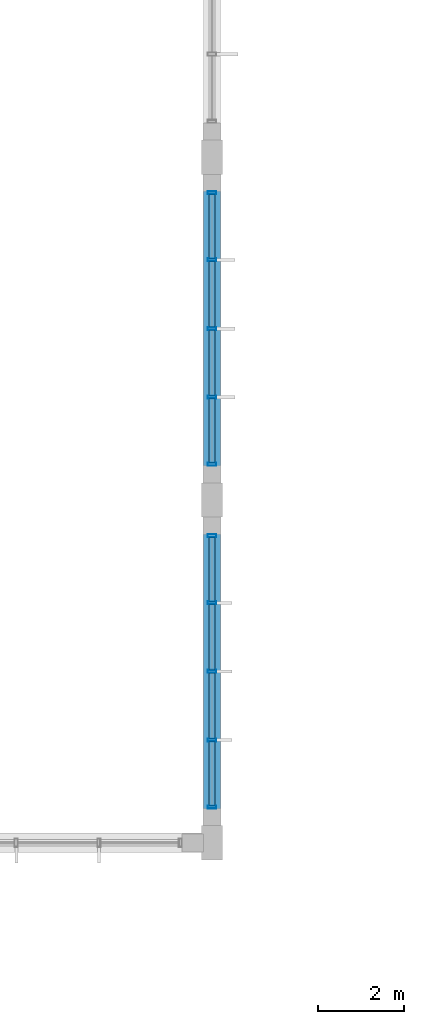
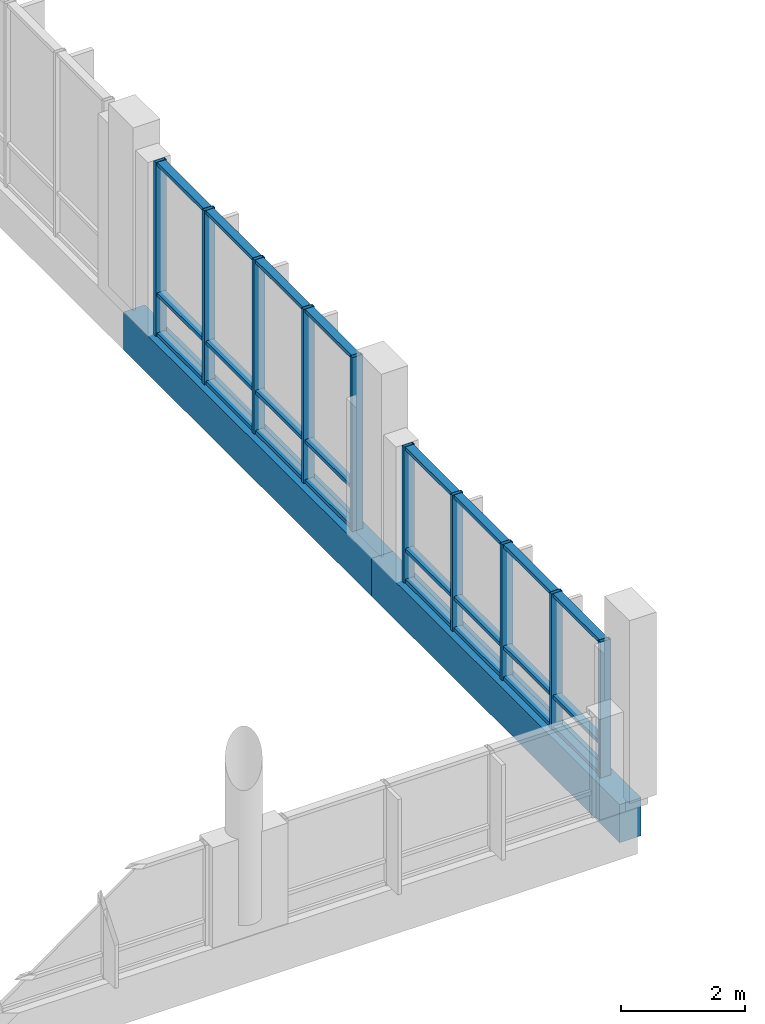
# One storey, part 63 of 189: 34 members, 2 beams, 2 elements without a shape of their own.
"""IFC4 building model written with IfcOpenShell, lengths in metres."""

from ifc_helpers import new_model, si_unit, direction, frame, origin, origin_2d, place, context, subcontext, project, spatial, rectangle, hollow_rectangle, extrude, material, material_profile, profile_set, type_object, element, aggregate, save


model = new_model("IFC4")

# Units and contexts
model_context = context("Model", 3, precision=1e-05, world=origin(), true_north=direction((0.0, 1.0)))
body_context = subcontext(model_context, "Body", "Model", "MODEL_VIEW")
ifc_project = project(units=[si_unit("LENGTHUNIT", "METRE"), si_unit("AREAUNIT", "SQUARE_METRE"), si_unit("VOLUMEUNIT", "CUBIC_METRE"), si_unit("PLANEANGLEUNIT", "RADIAN"), si_unit("MASSUNIT", "GRAM", prefix="KILO")], contexts=[model_context])

# Site, building, storey
site_placement = place(None, origin())
site = spatial("IfcSite", under=ifc_project, at=site_placement, CompositionType="ELEMENT")
building_placement = place(site_placement, origin())
building = spatial("IfcBuilding", under=site, at=building_placement, Name="Zavelmont Quarter", CompositionType="ELEMENT")
storey_placement = place(building_placement, frame((0.0, 0.0, 4.39990234375)))
storey = spatial("IfcBuildingStorey", under=building, at=storey_placement, Name="L01", CompositionType="ELEMENT", Elevation=4.39990234375)

# Beams
ifc_material_1 = material(Name="Concrete C40/50", Category="concrete")
ifc_material_profile_1 = material_profile(ifc_material_1, rectangle(XDim=0.39990234375, YDim=0.75, at=origin_2d()), Name="RC400X750")
ifc_profile_set_1 = profile_set([ifc_material_profile_1], Name="Concrete C40/50")
beam_type = type_object("IfcBeamType", Name="BM05", PredefinedType="BEAM", material=ifc_profile_set_1)
for number, where, z_axis, x_axis, name in (
    (1, (112.800048828125, 30.0, -0.65478515625), (0.0, 1.0, 0.0), (-1.0, 0.0, 0.0), "L01 beam BM05 17/F to 17/G"),
    (2, (112.800048828125, 38.0, -0.65478515625), (0.0, 1.0, 0.0), (-1.0, 0.0, 0.0), "L01 beam BM05 17/G to 17/H"),
):
    element("IfcBeam", number, at=place(storey_placement, frame(where, z_axis=z_axis, x_axis=x_axis)), inside=storey, type_object=beam_type, Name=name, PredefinedType="BEAM", context=body_context, shape_type="SweptSolid", body=[
        extrude(rectangle(XDim=0.39990234375, YDim=0.75, at=origin_2d()), origin(), (0.0, 0.0, 1.0), 8.0),
    ])

# Curtain wall, members
ifc_material_2 = material(Name="Thermally broken aluminium and double low-E safety glazing", Category="aluminium")
curtain_wall_type_1 = type_object("IfcCurtainWallType", Name="CW-640X268", PredefinedType="NOTDEFINED", material=ifc_material_2)
curtain_wall_1_placement = place(storey_placement, origin())
curtain_wall_1 = element("IfcCurtainWall", 3, at=curtain_wall_1_placement, inside=storey, type_object=curtain_wall_type_1, Name="L01 unitised curtain wall CW-640X268", PredefinedType="NOTDEFINED")
ifc_material_3 = material(Name="Powder-coated aluminium EN AW-6063-T6", Category="aluminium")
ifc_material_profile_2 = material_profile(ifc_material_3, hollow_rectangle(XDim=0.070068359375, YDim=0.199951171875, WallThickness=0.0048828125, at=origin_2d()), Name="CWM70X200")
ifc_profile_set_2 = profile_set([ifc_material_profile_2], Name="Powder-coated aluminium EN AW-6063-T6")
member_type_1 = type_object("IfcMemberType", Name="CWM02", PredefinedType="MULLION", material=ifc_profile_set_2)
member_1_placement = place(storey_placement, frame((112.800048828125, 30.8349609375, -0.27978515625), z_axis=(0.0, 0.0, 1.0), x_axis=(0.0, 1.0, 0.0)))
member_1 = element("IfcMember", 4, at=member_1_placement, type_object=member_type_1, Name="CW-640X268 mullion 1", PredefinedType="MULLION", context=body_context, shape_type="SweptSolid", body=[
    extrude(hollow_rectangle(XDim=0.070068359375, YDim=0.199951171875, WallThickness=0.0048828125, at=origin_2d()), origin(), (0.0, 0.0, 1.0), 2.6748046875),
])
member_2_placement = place(storey_placement, frame((112.800048828125, 32.39990234375, -0.27978515625), z_axis=(0.0, 0.0, 1.0), x_axis=(0.0, 1.0, 0.0)))
member_2 = element("IfcMember", 5, at=member_2_placement, type_object=member_type_1, Name="CW-640X268 mullion 2", PredefinedType="MULLION", context=body_context, shape_type="SweptSolid", body=[
    extrude(hollow_rectangle(XDim=0.070068359375, YDim=0.199951171875, WallThickness=0.0048828125, at=origin_2d()), origin(), (0.0, 0.0, 1.0), 2.6748046875),
])
member_3_placement = place(storey_placement, frame((112.800048828125, 34.0, -0.27978515625), z_axis=(0.0, 0.0, 1.0), x_axis=(0.0, 1.0, 0.0)))
member_3 = element("IfcMember", 6, at=member_3_placement, type_object=member_type_1, Name="CW-640X268 mullion 3", PredefinedType="MULLION", context=body_context, shape_type="SweptSolid", body=[
    extrude(hollow_rectangle(XDim=0.070068359375, YDim=0.199951171875, WallThickness=0.0048828125, at=origin_2d()), origin(), (0.0, 0.0, 1.0), 2.6748046875),
])
member_4_placement = place(storey_placement, frame((112.800048828125, 35.60009765625, -0.27978515625), z_axis=(0.0, 0.0, 1.0), x_axis=(0.0, 1.0, 0.0)))
member_4 = element("IfcMember", 7, at=member_4_placement, type_object=member_type_1, Name="CW-640X268 mullion 4", PredefinedType="MULLION", context=body_context, shape_type="SweptSolid", body=[
    extrude(hollow_rectangle(XDim=0.070068359375, YDim=0.199951171875, WallThickness=0.0048828125, at=origin_2d()), origin(), (0.0, 0.0, 1.0), 2.6748046875),
])
member_5_placement = place(storey_placement, frame((112.800048828125, 37.1650390625, -0.27978515625), z_axis=(0.0, 0.0, 1.0), x_axis=(0.0, 1.0, 0.0)))
member_5 = element("IfcMember", 8, at=member_5_placement, type_object=member_type_1, Name="CW-640X268 mullion 5", PredefinedType="MULLION", context=body_context, shape_type="SweptSolid", body=[
    extrude(hollow_rectangle(XDim=0.070068359375, YDim=0.199951171875, WallThickness=0.0048828125, at=origin_2d()), origin(), (0.0, 0.0, 1.0), 2.6748046875),
])

curtain_wall_type_2 = type_object("IfcCurtainWallType", Name="CW-640X342", PredefinedType="NOTDEFINED", material=ifc_material_2)
curtain_wall_2_placement = place(storey_placement, origin())
curtain_wall_2 = element("IfcCurtainWall", 9, at=curtain_wall_2_placement, inside=storey, type_object=curtain_wall_type_2, Name="L01 unitised curtain wall CW-640X342", PredefinedType="NOTDEFINED")
member_6_placement = place(storey_placement, frame((112.800048828125, 38.8349609375, -0.27978515625), z_axis=(0.0, 0.0, 1.0), x_axis=(0.0, 1.0, 0.0)))
member_6 = element("IfcMember", 10, at=member_6_placement, type_object=member_type_1, Name="CW-640X342 mullion 1", PredefinedType="MULLION", context=body_context, shape_type="SweptSolid", body=[
    extrude(hollow_rectangle(XDim=0.070068359375, YDim=0.199951171875, WallThickness=0.0048828125, at=origin_2d()), origin(), (0.0, 0.0, 1.0), 3.4248046875),
])
member_7_placement = place(storey_placement, frame((112.800048828125, 40.39990234375, -0.27978515625), z_axis=(0.0, 0.0, 1.0), x_axis=(0.0, 1.0, 0.0)))
member_7 = element("IfcMember", 11, at=member_7_placement, type_object=member_type_1, Name="CW-640X342 mullion 2", PredefinedType="MULLION", context=body_context, shape_type="SweptSolid", body=[
    extrude(hollow_rectangle(XDim=0.070068359375, YDim=0.199951171875, WallThickness=0.0048828125, at=origin_2d()), origin(), (0.0, 0.0, 1.0), 3.4248046875),
])
member_8_placement = place(storey_placement, frame((112.800048828125, 42.0, -0.27978515625), z_axis=(0.0, 0.0, 1.0), x_axis=(0.0, 1.0, 0.0)))
member_8 = element("IfcMember", 12, at=member_8_placement, type_object=member_type_1, Name="CW-640X342 mullion 3", PredefinedType="MULLION", context=body_context, shape_type="SweptSolid", body=[
    extrude(hollow_rectangle(XDim=0.070068359375, YDim=0.199951171875, WallThickness=0.0048828125, at=origin_2d()), origin(), (0.0, 0.0, 1.0), 3.4248046875),
])
member_9_placement = place(storey_placement, frame((112.800048828125, 43.60009765625, -0.27978515625), z_axis=(0.0, 0.0, 1.0), x_axis=(0.0, 1.0, 0.0)))
member_9 = element("IfcMember", 13, at=member_9_placement, type_object=member_type_1, Name="CW-640X342 mullion 4", PredefinedType="MULLION", context=body_context, shape_type="SweptSolid", body=[
    extrude(hollow_rectangle(XDim=0.070068359375, YDim=0.199951171875, WallThickness=0.0048828125, at=origin_2d()), origin(), (0.0, 0.0, 1.0), 3.4248046875),
])
member_10_placement = place(storey_placement, frame((112.800048828125, 45.1650390625, -0.27978515625), z_axis=(0.0, 0.0, 1.0), x_axis=(0.0, 1.0, 0.0)))
member_10 = element("IfcMember", 14, at=member_10_placement, type_object=member_type_1, Name="CW-640X342 mullion 5", PredefinedType="MULLION", context=body_context, shape_type="SweptSolid", body=[
    extrude(hollow_rectangle(XDim=0.070068359375, YDim=0.199951171875, WallThickness=0.0048828125, at=origin_2d()), origin(), (0.0, 0.0, 1.0), 3.4248046875),
])

# Member
ifc_material_profile_3 = material_profile(ifc_material_3, hollow_rectangle(XDim=0.14990234375, YDim=0.070068359375, WallThickness=0.00439453125, at=origin_2d()), Name="CWT70X150")
ifc_profile_set_3 = profile_set([ifc_material_profile_3], Name="Powder-coated aluminium EN AW-6063-T6")
member_type_2 = type_object("IfcMemberType", Name="CWT02", PredefinedType="NOTDEFINED", material=ifc_profile_set_3)
member_11_placement = place(storey_placement, frame((112.800048828125, 30.8701171875, -0.244873046875), z_axis=(0.0, 1.0, 0.0), x_axis=(-1.0, 0.0, 0.0)))
member_11 = element("IfcMember", 15, at=member_11_placement, type_object=member_type_2, Name="CW-640X268 transom 1.1", ObjectType="TRANSOM", PredefinedType="USERDEFINED", context=body_context, shape_type="SweptSolid", body=[
    extrude(hollow_rectangle(XDim=0.14990234375, YDim=0.070068359375, WallThickness=0.00439453125, at=origin_2d()), origin(), (0.0, 0.0, 1.0), 1.494873046875),
])

member_12_placement = place(storey_placement, frame((112.800048828125, 30.8701171875, 0.362060546875), z_axis=(0.0, 1.0, 0.0), x_axis=(-1.0, 0.0, 0.0)))
member_12 = element("IfcMember", 16, at=member_12_placement, type_object=member_type_2, Name="CW-640X268 transom 1.2", ObjectType="TRANSOM", PredefinedType="USERDEFINED", context=body_context, shape_type="SweptSolid", body=[
    extrude(hollow_rectangle(XDim=0.14990234375, YDim=0.070068359375, WallThickness=0.00439453125, at=origin_2d()), origin(), (0.0, 0.0, 1.0), 1.494873046875),
])

member_13_placement = place(storey_placement, frame((112.800048828125, 30.8701171875, 2.360107421875), z_axis=(0.0, 1.0, 0.0), x_axis=(-1.0, 0.0, 0.0)))
member_13 = element("IfcMember", 17, at=member_13_placement, type_object=member_type_2, Name="CW-640X268 transom 1.3", ObjectType="TRANSOM", PredefinedType="USERDEFINED", context=body_context, shape_type="SweptSolid", body=[
    extrude(hollow_rectangle(XDim=0.14990234375, YDim=0.070068359375, WallThickness=0.00439453125, at=origin_2d()), origin(), (0.0, 0.0, 1.0), 1.494873046875),
])

member_14_placement = place(storey_placement, frame((112.800048828125, 32.43505859375, -0.244873046875), z_axis=(0.0, 1.0, 0.0), x_axis=(-1.0, 0.0, 0.0)))
member_14 = element("IfcMember", 18, at=member_14_placement, type_object=member_type_2, Name="CW-640X268 transom 2.1", ObjectType="TRANSOM", PredefinedType="USERDEFINED", context=body_context, shape_type="SweptSolid", body=[
    extrude(hollow_rectangle(XDim=0.14990234375, YDim=0.070068359375, WallThickness=0.00439453125, at=origin_2d()), origin(), (0.0, 0.0, 1.0), 1.530029296875),
])

member_15_placement = place(storey_placement, frame((112.800048828125, 32.43505859375, 0.362060546875), z_axis=(0.0, 1.0, 0.0), x_axis=(-1.0, 0.0, 0.0)))
member_15 = element("IfcMember", 19, at=member_15_placement, type_object=member_type_2, Name="CW-640X268 transom 2.2", ObjectType="TRANSOM", PredefinedType="USERDEFINED", context=body_context, shape_type="SweptSolid", body=[
    extrude(hollow_rectangle(XDim=0.14990234375, YDim=0.070068359375, WallThickness=0.00439453125, at=origin_2d()), origin(), (0.0, 0.0, 1.0), 1.530029296875),
])

member_16_placement = place(storey_placement, frame((112.800048828125, 32.43505859375, 2.360107421875), z_axis=(0.0, 1.0, 0.0), x_axis=(-1.0, 0.0, 0.0)))
member_16 = element("IfcMember", 20, at=member_16_placement, type_object=member_type_2, Name="CW-640X268 transom 2.3", ObjectType="TRANSOM", PredefinedType="USERDEFINED", context=body_context, shape_type="SweptSolid", body=[
    extrude(hollow_rectangle(XDim=0.14990234375, YDim=0.070068359375, WallThickness=0.00439453125, at=origin_2d()), origin(), (0.0, 0.0, 1.0), 1.530029296875),
])

member_17_placement = place(storey_placement, frame((112.800048828125, 34.034912109375, -0.244873046875), z_axis=(0.0, 1.0, 0.0), x_axis=(-1.0, 0.0, 0.0)))
member_17 = element("IfcMember", 21, at=member_17_placement, type_object=member_type_2, Name="CW-640X268 transom 3.1", ObjectType="TRANSOM", PredefinedType="USERDEFINED", context=body_context, shape_type="SweptSolid", body=[
    extrude(hollow_rectangle(XDim=0.14990234375, YDim=0.070068359375, WallThickness=0.00439453125, at=origin_2d()), origin(), (0.0, 0.0, 1.0), 1.530029296875),
])

member_18_placement = place(storey_placement, frame((112.800048828125, 34.034912109375, 0.362060546875), z_axis=(0.0, 1.0, 0.0), x_axis=(-1.0, 0.0, 0.0)))
member_18 = element("IfcMember", 22, at=member_18_placement, type_object=member_type_2, Name="CW-640X268 transom 3.2", ObjectType="TRANSOM", PredefinedType="USERDEFINED", context=body_context, shape_type="SweptSolid", body=[
    extrude(hollow_rectangle(XDim=0.14990234375, YDim=0.070068359375, WallThickness=0.00439453125, at=origin_2d()), origin(), (0.0, 0.0, 1.0), 1.530029296875),
])

member_19_placement = place(storey_placement, frame((112.800048828125, 34.034912109375, 2.360107421875), z_axis=(0.0, 1.0, 0.0), x_axis=(-1.0, 0.0, 0.0)))
member_19 = element("IfcMember", 23, at=member_19_placement, type_object=member_type_2, Name="CW-640X268 transom 3.3", ObjectType="TRANSOM", PredefinedType="USERDEFINED", context=body_context, shape_type="SweptSolid", body=[
    extrude(hollow_rectangle(XDim=0.14990234375, YDim=0.070068359375, WallThickness=0.00439453125, at=origin_2d()), origin(), (0.0, 0.0, 1.0), 1.530029296875),
])

member_20_placement = place(storey_placement, frame((112.800048828125, 35.635009765625, -0.244873046875), z_axis=(0.0, 1.0, 0.0), x_axis=(-1.0, 0.0, 0.0)))
member_20 = element("IfcMember", 24, at=member_20_placement, type_object=member_type_2, Name="CW-640X268 transom 4.1", ObjectType="TRANSOM", PredefinedType="USERDEFINED", context=body_context, shape_type="SweptSolid", body=[
    extrude(hollow_rectangle(XDim=0.14990234375, YDim=0.070068359375, WallThickness=0.00439453125, at=origin_2d()), origin(), (0.0, 0.0, 1.0), 1.494873046875),
])

member_21_placement = place(storey_placement, frame((112.800048828125, 35.635009765625, 0.362060546875), z_axis=(0.0, 1.0, 0.0), x_axis=(-1.0, 0.0, 0.0)))
member_21 = element("IfcMember", 25, at=member_21_placement, type_object=member_type_2, Name="CW-640X268 transom 4.2", ObjectType="TRANSOM", PredefinedType="USERDEFINED", context=body_context, shape_type="SweptSolid", body=[
    extrude(hollow_rectangle(XDim=0.14990234375, YDim=0.070068359375, WallThickness=0.00439453125, at=origin_2d()), origin(), (0.0, 0.0, 1.0), 1.494873046875),
])

member_22_placement = place(storey_placement, frame((112.800048828125, 35.635009765625, 2.360107421875), z_axis=(0.0, 1.0, 0.0), x_axis=(-1.0, 0.0, 0.0)))
member_22 = element("IfcMember", 26, at=member_22_placement, type_object=member_type_2, Name="CW-640X268 transom 4.3", ObjectType="TRANSOM", PredefinedType="USERDEFINED", context=body_context, shape_type="SweptSolid", body=[
    extrude(hollow_rectangle(XDim=0.14990234375, YDim=0.070068359375, WallThickness=0.00439453125, at=origin_2d()), origin(), (0.0, 0.0, 1.0), 1.494873046875),
])

aggregate(curtain_wall_1, [member_1, member_2, member_3, member_4, member_5, member_11, member_12, member_13, member_14, member_15, member_16, member_17, member_18, member_19, member_20, member_21, member_22])

member_23_placement = place(storey_placement, frame((112.800048828125, 38.8701171875, -0.244873046875), z_axis=(0.0, 1.0, 0.0), x_axis=(-1.0, 0.0, 0.0)))
member_23 = element("IfcMember", 27, at=member_23_placement, type_object=member_type_2, Name="CW-640X342 transom 1.1", ObjectType="TRANSOM", PredefinedType="USERDEFINED", context=body_context, shape_type="SweptSolid", body=[
    extrude(hollow_rectangle(XDim=0.14990234375, YDim=0.070068359375, WallThickness=0.00439453125, at=origin_2d()), origin(), (0.0, 0.0, 1.0), 1.494873046875),
])

member_24_placement = place(storey_placement, frame((112.800048828125, 38.8701171875, 0.5419921875), z_axis=(0.0, 1.0, 0.0), x_axis=(-1.0, 0.0, 0.0)))
member_24 = element("IfcMember", 28, at=member_24_placement, type_object=member_type_2, Name="CW-640X342 transom 1.2", ObjectType="TRANSOM", PredefinedType="USERDEFINED", context=body_context, shape_type="SweptSolid", body=[
    extrude(hollow_rectangle(XDim=0.14990234375, YDim=0.070068359375, WallThickness=0.00439453125, at=origin_2d()), origin(), (0.0, 0.0, 1.0), 1.494873046875),
])

member_25_placement = place(storey_placement, frame((112.800048828125, 38.8701171875, 3.110107421875), z_axis=(0.0, 1.0, 0.0), x_axis=(-1.0, 0.0, 0.0)))
member_25 = element("IfcMember", 29, at=member_25_placement, type_object=member_type_2, Name="CW-640X342 transom 1.3", ObjectType="TRANSOM", PredefinedType="USERDEFINED", context=body_context, shape_type="SweptSolid", body=[
    extrude(hollow_rectangle(XDim=0.14990234375, YDim=0.070068359375, WallThickness=0.00439453125, at=origin_2d()), origin(), (0.0, 0.0, 1.0), 1.494873046875),
])

member_26_placement = place(storey_placement, frame((112.800048828125, 40.43505859375, -0.244873046875), z_axis=(0.0, 1.0, 0.0), x_axis=(-1.0, 0.0, 0.0)))
member_26 = element("IfcMember", 30, at=member_26_placement, type_object=member_type_2, Name="CW-640X342 transom 2.1", ObjectType="TRANSOM", PredefinedType="USERDEFINED", context=body_context, shape_type="SweptSolid", body=[
    extrude(hollow_rectangle(XDim=0.14990234375, YDim=0.070068359375, WallThickness=0.00439453125, at=origin_2d()), origin(), (0.0, 0.0, 1.0), 1.530029296875),
])

member_27_placement = place(storey_placement, frame((112.800048828125, 40.43505859375, 0.5419921875), z_axis=(0.0, 1.0, 0.0), x_axis=(-1.0, 0.0, 0.0)))
member_27 = element("IfcMember", 31, at=member_27_placement, type_object=member_type_2, Name="CW-640X342 transom 2.2", ObjectType="TRANSOM", PredefinedType="USERDEFINED", context=body_context, shape_type="SweptSolid", body=[
    extrude(hollow_rectangle(XDim=0.14990234375, YDim=0.070068359375, WallThickness=0.00439453125, at=origin_2d()), origin(), (0.0, 0.0, 1.0), 1.530029296875),
])

member_28_placement = place(storey_placement, frame((112.800048828125, 40.43505859375, 3.110107421875), z_axis=(0.0, 1.0, 0.0), x_axis=(-1.0, 0.0, 0.0)))
member_28 = element("IfcMember", 32, at=member_28_placement, type_object=member_type_2, Name="CW-640X342 transom 2.3", ObjectType="TRANSOM", PredefinedType="USERDEFINED", context=body_context, shape_type="SweptSolid", body=[
    extrude(hollow_rectangle(XDim=0.14990234375, YDim=0.070068359375, WallThickness=0.00439453125, at=origin_2d()), origin(), (0.0, 0.0, 1.0), 1.530029296875),
])

member_29_placement = place(storey_placement, frame((112.800048828125, 42.034912109375, -0.244873046875), z_axis=(0.0, 1.0, 0.0), x_axis=(-1.0, 0.0, 0.0)))
member_29 = element("IfcMember", 33, at=member_29_placement, type_object=member_type_2, Name="CW-640X342 transom 3.1", ObjectType="TRANSOM", PredefinedType="USERDEFINED", context=body_context, shape_type="SweptSolid", body=[
    extrude(hollow_rectangle(XDim=0.14990234375, YDim=0.070068359375, WallThickness=0.00439453125, at=origin_2d()), origin(), (0.0, 0.0, 1.0), 1.530029296875),
])

member_30_placement = place(storey_placement, frame((112.800048828125, 42.034912109375, 0.5419921875), z_axis=(0.0, 1.0, 0.0), x_axis=(-1.0, 0.0, 0.0)))
member_30 = element("IfcMember", 34, at=member_30_placement, type_object=member_type_2, Name="CW-640X342 transom 3.2", ObjectType="TRANSOM", PredefinedType="USERDEFINED", context=body_context, shape_type="SweptSolid", body=[
    extrude(hollow_rectangle(XDim=0.14990234375, YDim=0.070068359375, WallThickness=0.00439453125, at=origin_2d()), origin(), (0.0, 0.0, 1.0), 1.530029296875),
])

member_31_placement = place(storey_placement, frame((112.800048828125, 42.034912109375, 3.110107421875), z_axis=(0.0, 1.0, 0.0), x_axis=(-1.0, 0.0, 0.0)))
member_31 = element("IfcMember", 35, at=member_31_placement, type_object=member_type_2, Name="CW-640X342 transom 3.3", ObjectType="TRANSOM", PredefinedType="USERDEFINED", context=body_context, shape_type="SweptSolid", body=[
    extrude(hollow_rectangle(XDim=0.14990234375, YDim=0.070068359375, WallThickness=0.00439453125, at=origin_2d()), origin(), (0.0, 0.0, 1.0), 1.530029296875),
])

member_32_placement = place(storey_placement, frame((112.800048828125, 43.635009765625, -0.244873046875), z_axis=(0.0, 1.0, 0.0), x_axis=(-1.0, 0.0, 0.0)))
member_32 = element("IfcMember", 36, at=member_32_placement, type_object=member_type_2, Name="CW-640X342 transom 4.1", ObjectType="TRANSOM", PredefinedType="USERDEFINED", context=body_context, shape_type="SweptSolid", body=[
    extrude(hollow_rectangle(XDim=0.14990234375, YDim=0.070068359375, WallThickness=0.00439453125, at=origin_2d()), origin(), (0.0, 0.0, 1.0), 1.494873046875),
])

member_33_placement = place(storey_placement, frame((112.800048828125, 43.635009765625, 0.5419921875), z_axis=(0.0, 1.0, 0.0), x_axis=(-1.0, 0.0, 0.0)))
member_33 = element("IfcMember", 37, at=member_33_placement, type_object=member_type_2, Name="CW-640X342 transom 4.2", ObjectType="TRANSOM", PredefinedType="USERDEFINED", context=body_context, shape_type="SweptSolid", body=[
    extrude(hollow_rectangle(XDim=0.14990234375, YDim=0.070068359375, WallThickness=0.00439453125, at=origin_2d()), origin(), (0.0, 0.0, 1.0), 1.494873046875),
])

member_34_placement = place(storey_placement, frame((112.800048828125, 43.635009765625, 3.110107421875), z_axis=(0.0, 1.0, 0.0), x_axis=(-1.0, 0.0, 0.0)))
member_34 = element("IfcMember", 38, at=member_34_placement, type_object=member_type_2, Name="CW-640X342 transom 4.3", ObjectType="TRANSOM", PredefinedType="USERDEFINED", context=body_context, shape_type="SweptSolid", body=[
    extrude(hollow_rectangle(XDim=0.14990234375, YDim=0.070068359375, WallThickness=0.00439453125, at=origin_2d()), origin(), (0.0, 0.0, 1.0), 1.494873046875),
])

aggregate(curtain_wall_2, [member_6, member_7, member_8, member_9, member_10, member_23, member_24, member_25, member_26, member_27, member_28, member_29, member_30, member_31, member_32, member_33, member_34])

save(model, "model.ifc")
